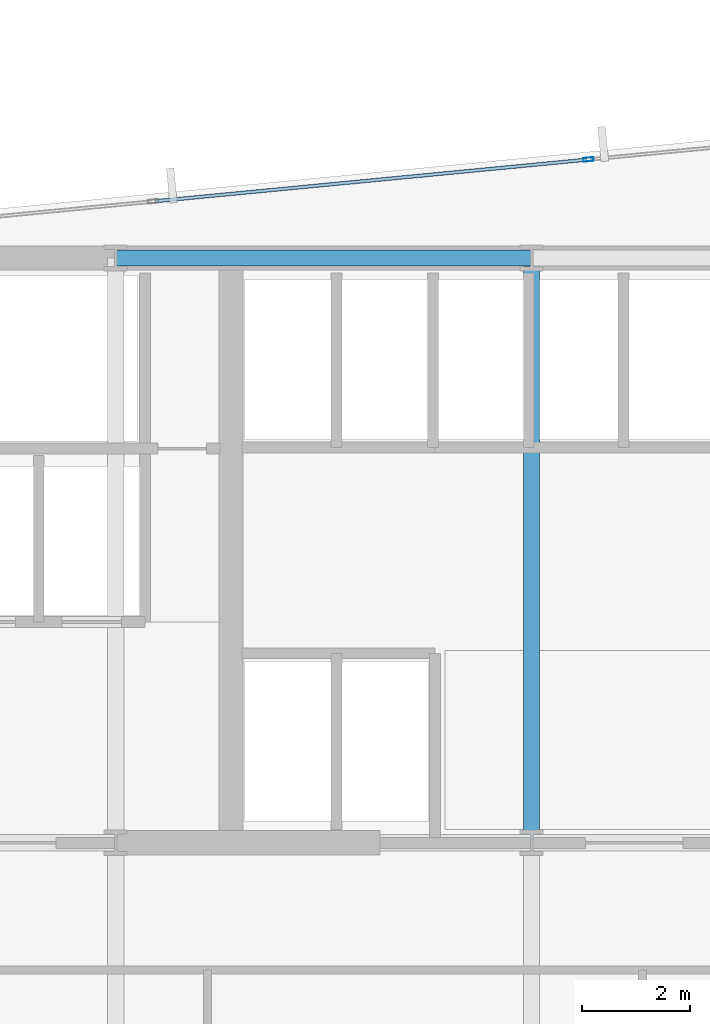
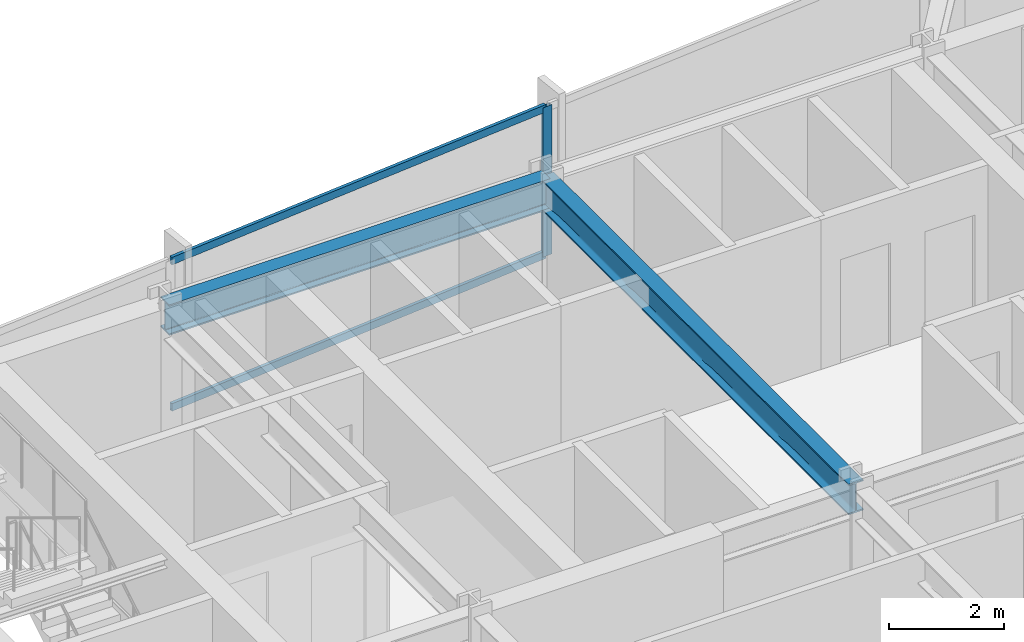
# One storey, part 19 of 32: 3 members, 2 beams, 1 element without a shape of its own.
"""IFC4 building model written with IfcOpenShell, lengths in metres."""

from ifc_helpers import new_model, si_unit, direction, frame, origin, origin_2d, place, context, subcontext, project, spatial, hollow_rectangle, i_section, extrude, material, material_profile, profile_set, type_object, element, aggregate, save


model = new_model("IFC4")

# Units and contexts
model_context = context("Model", 3, precision=1e-05, world=origin(), true_north=direction((0.0, 1.0)))
body_context = subcontext(model_context, "Body", "Model", "MODEL_VIEW")
ifc_project = project(units=[si_unit("LENGTHUNIT", "METRE"), si_unit("AREAUNIT", "SQUARE_METRE"), si_unit("VOLUMEUNIT", "CUBIC_METRE"), si_unit("PLANEANGLEUNIT", "RADIAN"), si_unit("MASSUNIT", "GRAM", prefix="KILO")], contexts=[model_context])

# Site, building, storey
site_placement = place(None, origin())
site = spatial("IfcSite", under=ifc_project, at=site_placement, CompositionType="ELEMENT")
building_placement = place(site_placement, origin())
building = spatial("IfcBuilding", under=site, at=building_placement, Name="Yelkora Congress Tower", CompositionType="ELEMENT")
storey_placement = place(building_placement, frame((0.0, 0.0, 93.10009765625)))
storey = spatial("IfcBuildingStorey", under=building, at=storey_placement, Name="L24", CompositionType="ELEMENT", Elevation=93.10009765625)

# Beams
ifc_material_1 = material(Name="Steel S355J2", Category="steel")
ifc_material_profile_1 = material_profile(ifc_material_1, i_section(OverallWidth=0.300048828125, OverallDepth=0.64990234375, WebThickness=0.01611328125, FlangeThickness=0.031005859375, FilletRadius=0.027099609375, at=origin_2d()), Name="HEB 650")
ifc_profile_set_1 = profile_set([ifc_material_profile_1], Name="Steel S355J2")
beam_type = type_object("IfcBeamType", Name="BM-GIRD-HEB650", PredefinedType="BEAM", material=ifc_profile_set_1)
beam_1_placement = place(storey_placement, frame((30.719970703125, 46.199951171875, 2.85498046875), z_axis=(1.0, 0.0, 0.0), x_axis=(0.0, 1.0, 0.0)))
element("IfcBeam", 1, at=beam_1_placement, inside=storey, type_object=beam_type, Name="L24 Core North Girder 3", PredefinedType="BEAM", context=body_context, shape_type="SweptSolid", body=[
    extrude(i_section(OverallWidth=0.300048828125, OverallDepth=0.64990234375, WebThickness=0.01611328125, FlangeThickness=0.031005859375, FilletRadius=0.027099609375, at=origin_2d()), origin(), (0.0, 0.0, 1.0), 7.679931640625),
])
beam_2_placement = place(storey_placement, frame((38.39990234375, 35.39990234375, 2.85498046875), z_axis=(0.0, 1.0, 0.0), x_axis=(-1.0, 0.0, 0.0)))
element("IfcBeam", 2, at=beam_2_placement, inside=storey, type_object=beam_type, Name="L24 Core Tie Girder MC-S3", PredefinedType="BEAM", context=body_context, shape_type="SweptSolid", body=[
    extrude(i_section(OverallWidth=0.300048828125, OverallDepth=0.64990234375, WebThickness=0.01611328125, FlangeThickness=0.031005859375, FilletRadius=0.027099609375, at=origin_2d()), origin(), (0.0, 0.0, 1.0), 10.800048828125),
])

# Curtain wall, members
ifc_material_2 = material(Name="Anodised aluminium and insulated glass", Category="aluminium")
curtain_wall_type = type_object("IfcCurtainWallType", Name="CW-SYS-B2", PredefinedType="NOTDEFINED", material=ifc_material_2)
curtain_wall_placement = place(storey_placement, origin())
curtain_wall = element("IfcCurtainWall", 3, at=curtain_wall_placement, inside=storey, type_object=curtain_wall_type, Name="L24 Unitised Curtain Wall 10 (3)", PredefinedType="NOTDEFINED")
ifc_material_3 = material(Name="Anodised aluminium 6063-T6", Category="aluminium")
ifc_material_profile_2 = material_profile(ifc_material_3, hollow_rectangle(XDim=0.070068359375, YDim=0.18994140625, WallThickness=0.00390625, at=origin_2d()), Name="ALU 70x190x4")
ifc_profile_set_2 = profile_set([ifc_material_profile_2], Name="Anodised aluminium 6063-T6")
member_type_1 = type_object("IfcMemberType", Name="MEM-ML-B2", PredefinedType="MULLION", material=ifc_profile_set_2)
member_1_placement = place(storey_placement, frame((39.451904296875, 48.018310546875, 0.0), z_axis=(0.0, 0.0, 1.0), x_axis=(-0.095844238468, 0.995396344153, 0.0)))
member_1 = element("IfcMember", 4, at=member_1_placement, type_object=member_type_1, Name="CW-B2 mullion 3", PredefinedType="MULLION", context=body_context, shape_type="SweptSolid", body=[
    extrude(hollow_rectangle(XDim=0.070068359375, YDim=0.18994140625, WallThickness=0.00390625, at=origin_2d()), origin(), (0.0, 0.0, 1.0), 3.179931640625),
])
ifc_material_profile_3 = material_profile(ifc_material_3, hollow_rectangle(XDim=0.06494140625, YDim=0.159912109375, WallThickness=0.00390625, at=origin_2d()), Name="ALU 65x160x4")
ifc_profile_set_3 = profile_set([ifc_material_profile_3], Name="Anodised aluminium 6063-T6")
member_type_2 = type_object("IfcMemberType", Name="MEM-TR-B2", PredefinedType="USERDEFINED", material=ifc_profile_set_3)
member_2_placement = place(storey_placement, frame((31.44677734375, 47.24755859375, 0.032470703125), z_axis=(0.995397793901, 0.09582918082, 0.0), x_axis=(-0.09582918082, 0.995397793901, 0.0)))
member_2 = element("IfcMember", 5, at=member_2_placement, type_object=member_type_2, Name="CW-B2 transom 2.1", ObjectType="TRANSOM", PredefinedType="USERDEFINED", context=body_context, shape_type="SweptSolid", body=[
    extrude(hollow_rectangle(XDim=0.06494140625, YDim=0.159912109375, WallThickness=0.00390625, at=origin_2d()), origin(), (0.0, 0.0, 1.0), 8.00732421875),
])
member_3_placement = place(storey_placement, frame((31.44677734375, 47.24755859375, 3.1474609375), z_axis=(0.995397793901, 0.09582918082, 0.0), x_axis=(-0.09582918082, 0.995397793901, 0.0)))
member_3 = element("IfcMember", 6, at=member_3_placement, type_object=member_type_2, Name="CW-B2 transom 2.2", ObjectType="TRANSOM", PredefinedType="USERDEFINED", context=body_context, shape_type="SweptSolid", body=[
    extrude(hollow_rectangle(XDim=0.06494140625, YDim=0.159912109375, WallThickness=0.00390625, at=origin_2d()), origin(), (0.0, 0.0, 1.0), 8.00732421875),
])
aggregate(curtain_wall, [member_1, member_2, member_3])

save(model, "model.ifc")
